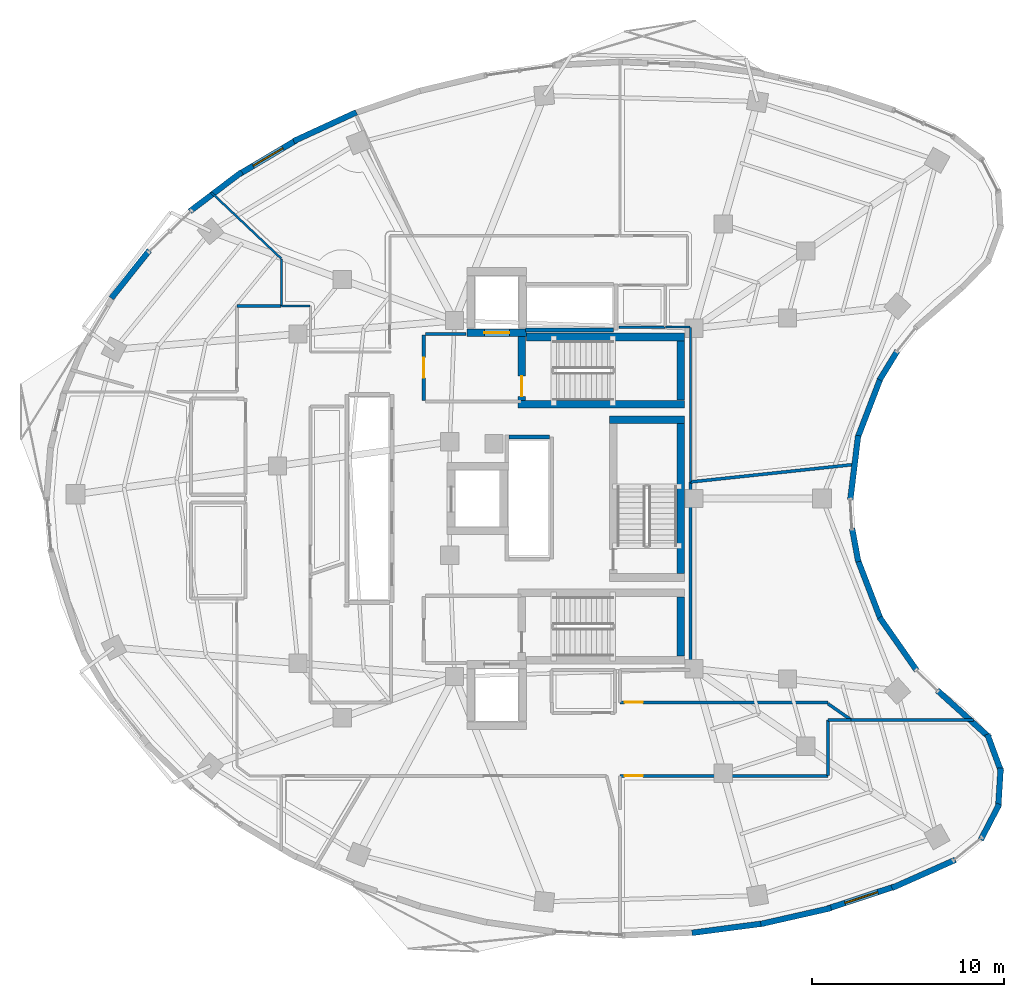
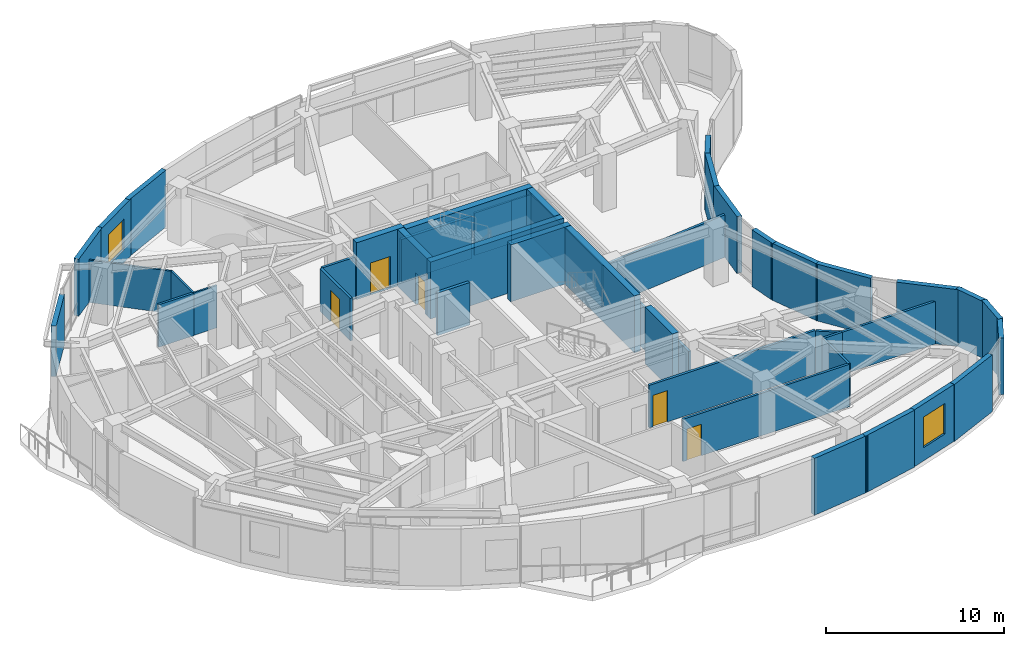
# One storey, part 10 of 14: 45 walls, 5 doors, 2 windows, 7 openings.
"""IFC4 building model written with IfcOpenShell, lengths in metres."""

from ifc_helpers import new_model, si_unit, direction, frame, frame_2d, origin, place, context, subcontext, project, spatial, rectangle, extrude, material, layer, layer_set, type_object, element, fill, save


model = new_model("IFC4")

# Units and contexts
model_context = context("Model", 3, precision=1e-05, world=origin(), true_north=direction((0.0, 1.0)))
body_context = subcontext(model_context, "Body", "Model", "MODEL_VIEW")
ifc_project = project(units=[si_unit("LENGTHUNIT", "METRE"), si_unit("AREAUNIT", "SQUARE_METRE"), si_unit("VOLUMEUNIT", "CUBIC_METRE"), si_unit("PLANEANGLEUNIT", "RADIAN"), si_unit("MASSUNIT", "GRAM", prefix="KILO")], contexts=[model_context])

# Site, building, storey
site_placement = place(None, origin())
site = spatial("IfcSite", under=ifc_project, at=site_placement, CompositionType="ELEMENT")
building_placement = place(site_placement, origin())
building = spatial("IfcBuilding", under=site, at=building_placement, Name="Korentha Bioscience Tower", CompositionType="ELEMENT")
storey_placement = place(building_placement, frame((0.0, 0.0, 231.0)))
storey = spatial("IfcBuildingStorey", under=building, at=storey_placement, Name="L53", CompositionType="ELEMENT", Elevation=231.0)

# Wall, opening, door
ifc_material_1 = material(Name="Double-Stud Acoustic Gypsum", Category="gypsum")
ifc_layer_1 = layer(ifc_material_1, 0.14990234375, Name="Double-Stud Acoustic Gypsum")
ifc_layer_set_1 = layer_set([ifc_layer_1], Name="Double-Stud Acoustic Gypsum (IW-L150)")
wall_type_1 = type_object("IfcWallType", Name="Acoustic Laboratory Partition Wall 150", PredefinedType="PARTITIONING", material=ifc_layer_set_1)
wall_1_placement = place(storey_placement, frame((33.701904296875, 12.590087890625, 0.0), z_axis=(0.0, 0.0, 1.0), x_axis=(1.0, 0.0, 0.0)))
wall_1 = element("IfcWall", 1, at=wall_1_placement, inside=storey, type_object=wall_type_1, Name="L53 Peptide Synthesis Wet Lab 05 Entrance Wall", PredefinedType="PARTITIONING", context=body_context, shape_type="SweptSolid", body=[
    extrude(rectangle(XDim=10.798095703125, YDim=0.14990234375, at=frame_2d((5.39892578125, 0.0))), origin(), (0.0, 0.0, 1.0), 2.909912109375),
])
opening_1_placement = place(wall_1_placement, frame((0.239990234375, 0.0, 0.0)))
opening_1 = element("IfcOpeningElement", 2, at=opening_1_placement, cuts=wall_1, Name="Opening ID-10R", PredefinedType="OPENING", context=body_context, shape_type="SweptSolid", body=[
    extrude(rectangle(XDim=0.949951171875, YDim=2.14990234375, at=frame_2d((0.47509765625, 1.074951171875))), frame((0.0, 0.08984375, 0.0), z_axis=(0.0, -1.0, 0.0), x_axis=(1.0, 0.0, 0.0)), (0.0, 0.0, 1.0), 0.1796875),
])
ifc_material_2 = material(Name="Phenolic Laminate Timber Core", Category="wood")
door_type_1 = type_object("IfcDoorType", Name="Laboratory Single Leaf Door 950x2150 Right", OperationType="SINGLE_SWING_RIGHT", PredefinedType="DOOR", material=ifc_material_2)
door_1_placement = place(opening_1_placement, origin())
door_1 = element("IfcDoor", 3, at=door_1_placement, inside=storey, type_object=door_type_1, Name="L53 Peptide Synthesis Wet Lab 05 Door", OperationType="SINGLE_SWING_RIGHT", OverallHeight=2.14990234375, OverallWidth=0.949951171875, PredefinedType="DOOR", context=body_context, shape_type="SweptSolid", body=[
    extrude(rectangle(XDim=0.949951171875, YDim=2.14990234375, at=frame_2d((0.47509765625, 1.074951171875))), frame((0.0, 0.02490234375, 0.0), z_axis=(0.0, -1.0, 0.0), x_axis=(1.0, 0.0, 0.0)), (0.0, 0.0, 1.0), 0.050048828125),
])
fill(opening_1, door_1)

# Walls
wall_2_placement = place(storey_placement, frame((44.510009765625, 12.60009765625, 0.0), z_axis=(0.0, 0.0, 1.0), x_axis=(0.0, 1.0, 0.0)))
element("IfcWall", 4, at=wall_2_placement, inside=storey, type_object=wall_type_1, Name="L53 Interior Partition 044", PredefinedType="PARTITIONING", context=body_context, shape_type="SweptSolid", body=[
    extrude(rectangle(XDim=2.89794921875, YDim=0.14990234375, at=frame_2d((1.448974609375, 0.0))), origin(), (0.0, 0.0, 1.0), 2.909912109375),
])
wall_3_placement = place(storey_placement, frame((44.510009765625, 15.498046875, 0.0), z_axis=(0.0, 0.0, 1.0), x_axis=(1.0, 0.0, 0.0)))
element("IfcWall", 5, at=wall_3_placement, inside=storey, type_object=wall_type_1, Name="L53 Interior Partition 045", PredefinedType="PARTITIONING", context=body_context, shape_type="SweptSolid", body=[
    extrude(rectangle(XDim=1.19287109375, YDim=0.14990234375, at=frame_2d((0.596435546875, 0.0))), origin(), (0.0, 0.0, 1.0), 2.909912109375),
])
wall_4_placement = place(storey_placement, frame((45.710205078125, 15.498046875, 0.0), z_axis=(0.0, 0.0, 1.0), x_axis=(1.0, 0.0, 0.0)))
element("IfcWall", 6, at=wall_4_placement, inside=storey, type_object=wall_type_1, Name="L53 Interior Partition 046", PredefinedType="PARTITIONING", context=body_context, shape_type="SweptSolid", body=[
    extrude(rectangle(XDim=6.359619140625, YDim=0.14990234375, at=frame_2d((3.1796875, 0.0))), origin(), (0.0, 0.0, 1.0), 2.909912109375),
])
wall_5_placement = place(storey_placement, frame((16.092041015625, 37.010009765625, 0.0), z_axis=(0.0, 0.0, 1.0), x_axis=(-1.0, 0.0, 0.0)))
element("IfcWall", 7, at=wall_5_placement, inside=storey, type_object=wall_type_1, Name="L53 Interior Partition 066", PredefinedType="PARTITIONING", context=body_context, shape_type="SweptSolid", body=[
    extrude(rectangle(XDim=2.2919921875, YDim=0.14990234375, at=frame_2d((1.14599609375, 0.0))), origin(), (0.0, 0.0, 1.0), 2.909912109375),
])
ifc_material_3 = material(Name="Fire-Rated Framed Glass", Category="glass")
ifc_layer_2 = layer(ifc_material_3, 0.110107421875, Name="Fire-Rated Framed Glass")
ifc_layer_set_2 = layer_set([ifc_layer_2], Name="Fire-Rated Framed Glass (IW-G110)")
wall_type_2 = type_object("IfcWallType", Name="Demountable Glazed Office Partition 110", PredefinedType="MOVABLE", material=ifc_layer_set_2)
wall_6_placement = place(storey_placement, frame((37.360107421875, 27.87158203125, 0.0), z_axis=(0.0, 0.0, 1.0), x_axis=(0.0, 1.0, 0.0)))
element("IfcWall", 8, at=wall_6_placement, inside=storey, type_object=wall_type_2, Name="L53 Interior Partition 054", PredefinedType="MOVABLE", context=body_context, shape_type="SweptSolid", body=[
    extrude(rectangle(XDim=8.0283203125, YDim=0.110107421875, at=frame_2d((4.01416015625, 0.0))), origin(), (0.0, 0.0, 1.0), 2.909912109375),
])
wall_7_placement = place(storey_placement, frame((37.35009765625, 35.909912109375, 0.0), z_axis=(0.0, 0.0, 1.0), x_axis=(-1.0, 0.0, 0.0)))
element("IfcWall", 9, at=wall_7_placement, inside=storey, type_object=wall_type_2, Name="L53 Interior Partition 055", PredefinedType="MOVABLE", context=body_context, shape_type="SweptSolid", body=[
    extrude(rectangle(XDim=1.2900390625, YDim=0.110107421875, at=frame_2d((0.64501953125, 0.0))), origin(), (0.0, 0.0, 1.0), 2.909912109375),
])
wall_8_placement = place(storey_placement, frame((17.60009765625, 37.010009765625, 0.0), z_axis=(0.0, 0.0, 1.0), x_axis=(-1.0, 0.0, 0.0)))
element("IfcWall", 10, at=wall_8_placement, inside=storey, type_object=wall_type_2, Name="L53 Interior Partition 063", PredefinedType="MOVABLE", context=body_context, shape_type="SweptSolid", body=[
    extrude(rectangle(XDim=1.498046875, YDim=0.110107421875, at=frame_2d((0.7490234375, 0.0))), origin(), (0.0, 0.0, 1.0), 2.909912109375),
])
wall_9_placement = place(storey_placement, frame((16.10205078125, 37.010009765625, 0.0), z_axis=(0.0, 0.0, 1.0), x_axis=(0.0, 1.0, 0.0)))
element("IfcWall", 11, at=wall_9_placement, inside=storey, type_object=wall_type_2, Name="L53 Interior Partition 064", PredefinedType="MOVABLE", context=body_context, shape_type="SweptSolid", body=[
    extrude(rectangle(XDim=2.448974609375, YDim=0.110107421875, at=frame_2d((1.224609375, 0.0))), origin(), (0.0, 0.0, 1.0), 2.909912109375),
])
wall_10_placement = place(storey_placement, frame((16.097900390625, 39.468505859375, 0.0), z_axis=(0.0, 0.0, 1.0), x_axis=(-0.72659054889, 0.687070719987, 0.0)))
element("IfcWall", 12, at=wall_10_placement, inside=storey, type_object=wall_type_2, Name="L53 Interior Partition 065", PredefinedType="MOVABLE", context=body_context, shape_type="SweptSolid", body=[
    extrude(rectangle(XDim=5.016357421875, YDim=0.110107421875, at=frame_2d((2.50830078125, 0.0))), origin(), (0.0, 0.0, 1.0), 2.909912109375),
])

# Wall, opening, door
ifc_material_4 = material(Name="Gypsum-Clad Steel Stud", Category="steel")
ifc_layer_3 = layer(ifc_material_4, 0.159912109375, Name="Gypsum-Clad Steel Stud")
ifc_layer_set_3 = layer_set([ifc_layer_3], Name="Gypsum-Clad Steel Stud (IW-C160)")
wall_type_3 = type_object("IfcWallType", Name="Fire-Rated Corridor Partition Wall 160", PredefinedType="PARTITIONING", material=ifc_layer_set_3)
wall_11_placement = place(storey_placement, frame((23.5, 32.10009765625, 0.0), z_axis=(0.0, 0.0, 1.0), x_axis=(0.0, 1.0, 0.0)))
wall_11 = element("IfcWall", 13, at=wall_11_placement, inside=storey, type_object=wall_type_3, Name="L53 FFLN-CW Rated Enclosure Wall", PredefinedType="PARTITIONING", context=body_context, shape_type="SweptSolid", body=[
    extrude(rectangle(XDim=3.39990234375, YDim=0.159912109375, at=frame_2d((1.699951171875, 0.0))), origin(), (0.0, 0.0, 1.0), 2.909912109375),
])
opening_2_placement = place(wall_11_placement, frame((1.175048828125, 0.0, 0.0)))
opening_2 = element("IfcOpeningElement", 14, at=opening_2_placement, cuts=wall_11, Name="Opening FD-90R", PredefinedType="OPENING", context=body_context, shape_type="SweptSolid", body=[
    extrude(rectangle(XDim=1.050048828125, YDim=2.14990234375, at=frame_2d((0.52490234375, 1.074951171875))), frame((0.0, 0.0947265625, 0.0), z_axis=(0.0, -1.0, 0.0), x_axis=(1.0, 0.0, 0.0)), (0.0, 0.0, 1.0), 0.189697265625),
])
ifc_material_5 = material(Name="Powder-Coated Fire-Rated Steel", Category="steel")
door_type_2 = type_object("IfcDoorType", Name="Stairwell Fire Exit Door 1050x2150 Right", OperationType="SINGLE_SWING_RIGHT", PredefinedType="DOOR", material=ifc_material_5)
door_2_placement = place(opening_2_placement, origin())
door_2 = element("IfcDoor", 15, at=door_2_placement, inside=storey, type_object=door_type_2, Name="L53 North Firefighting Lobby Door", OperationType="SINGLE_SWING_RIGHT", OverallHeight=2.14990234375, OverallWidth=1.050048828125, PredefinedType="DOOR", context=body_context, shape_type="SweptSolid", body=[
    extrude(rectangle(XDim=1.050048828125, YDim=2.14990234375, at=frame_2d((0.52490234375, 1.074951171875))), frame((0.0, 0.02490234375, 0.0), z_axis=(0.0, -1.0, 0.0), x_axis=(1.0, 0.0, 0.0)), (0.0, 0.0, 1.0), 0.050048828125),
])
fill(opening_2, door_2)

# Wall
wall_12_placement = place(storey_placement, frame((23.580078125, 35.550048828125, 0.0), z_axis=(0.0, 0.0, 1.0), x_axis=(1.0, 0.0, 0.0)))
element("IfcWall", 16, at=wall_12_placement, inside=storey, type_object=wall_type_3, Name="L53 Firefighting Lobby Return Wall FFLN-N", PredefinedType="PARTITIONING", context=body_context, shape_type="SweptSolid", body=[
    extrude(rectangle(XDim=2.119873046875, YDim=0.159912109375, at=frame_2d((1.06005859375, 0.0))), origin(), (0.0, 0.0, 1.0), 2.909912109375),
])

# Wall, opening, door
wall_13_placement = place(storey_placement, frame((44.5, 16.409912109375, 0.0), z_axis=(0.0, 0.0, 1.0), x_axis=(-1.0, 0.0, 0.0)))
wall_13 = element("IfcWall", 17, at=wall_13_placement, inside=storey, type_object=wall_type_3, Name="L53 Ultrapure Water Polisher Plant Alcove 06 Entrance Wall", PredefinedType="PARTITIONING", context=body_context, shape_type="SweptSolid", body=[
    extrude(rectangle(XDim=10.798095703125, YDim=0.159912109375, at=frame_2d((5.39892578125, 0.0))), origin(), (0.0, 0.0, 1.0), 2.909912109375),
])
opening_3_placement = place(wall_13_placement, frame((9.60791015625, 0.0, 0.0)))
opening_3 = element("IfcOpeningElement", 18, at=opening_3_placement, cuts=wall_13, Name="Opening FD-120D", PredefinedType="OPENING", context=body_context, shape_type="SweptSolid", body=[
    extrude(rectangle(XDim=0.949951171875, YDim=2.14990234375, at=frame_2d((0.47509765625, 1.074951171875))), frame((0.0, 0.0947265625, 0.0), z_axis=(0.0, -1.0, 0.0), x_axis=(1.0, 0.0, 0.0)), (0.0, 0.0, 1.0), 0.189697265625),
])
ifc_material_6 = material(Name="Heavy-Duty Insulated Steel", Category="steel")
door_type_3 = type_object("IfcDoorType", Name="Plant & Riser Fire Door 950x2150 Left", OperationType="SINGLE_SWING_LEFT", PredefinedType="DOOR", material=ifc_material_6)
door_3_placement = place(opening_3_placement, origin())
door_3 = element("IfcDoor", 19, at=door_3_placement, inside=storey, type_object=door_type_3, Name="L53 Ultrapure Water Polisher Plant Alcove 06 Door", OperationType="SINGLE_SWING_LEFT", OverallHeight=2.14990234375, OverallWidth=0.949951171875, PredefinedType="DOOR", context=body_context, shape_type="SweptSolid", body=[
    extrude(rectangle(XDim=0.949951171875, YDim=2.14990234375, at=frame_2d((0.47509765625, 1.074951171875))), frame((0.0, 0.02490234375, 0.0), z_axis=(0.0, -1.0, 0.0), x_axis=(1.0, 0.0, 0.0)), (0.0, 0.0, 1.0), 0.050048828125),
])
fill(opening_3, door_3)

# Walls
wall_14_placement = place(storey_placement, frame((37.360107421875, 18.10009765625, 0.0), z_axis=(0.0, 0.0, 1.0), x_axis=(0.0, 1.0, 0.0)))
element("IfcWall", 20, at=wall_14_placement, inside=storey, type_object=wall_type_3, Name="L53 Interior Partition 049", PredefinedType="PARTITIONING", context=body_context, shape_type="SweptSolid", body=[
    extrude(rectangle(XDim=9.761474609375, YDim=0.159912109375, at=frame_2d((4.880859375, 0.0))), origin(), (0.0, 0.0, 1.0), 2.909912109375),
])
wall_15_placement = place(storey_placement, frame((37.360107421875, 27.861572265625, 0.0), z_axis=(0.0, 0.0, 1.0), x_axis=(0.994340555522, 0.106239633118, 0.0)))
element("IfcWall", 21, at=wall_15_placement, inside=storey, type_object=wall_type_3, Name="L53 Interior Partition 050", PredefinedType="PARTITIONING", context=body_context, shape_type="SweptSolid", body=[
    extrude(rectangle(XDim=8.60595703125, YDim=0.159912109375, at=frame_2d((4.302978515625, 0.0))), origin(), (0.0, 0.0, 1.0), 2.909912109375),
])
wall_16_placement = place(storey_placement, frame((45.69580078125, 15.508056640625, 0.0), z_axis=(0.0, 0.0, 1.0), x_axis=(-0.819144755114, 0.573586846231, 0.0)))
element("IfcWall", 22, at=wall_16_placement, inside=storey, type_object=wall_type_3, Name="L53 Interior Partition 051", PredefinedType="PARTITIONING", context=body_context, shape_type="SweptSolid", body=[
    extrude(rectangle(XDim=1.447509765625, YDim=0.159912109375, at=frame_2d((0.7236328125, 0.0))), origin(), (0.0, 0.0, 1.0), 2.909912109375),
])

# Wall, opening, window
ifc_material_7 = material(Name="Honed Limestone Precast Concrete C40", Category="masonry")
ifc_layer_4 = layer(ifc_material_7, 0.300048828125, Name="Honed Limestone Precast Concrete C40")
ifc_layer_set_4 = layer_set([ifc_layer_4], Name="Honed Limestone Precast Concrete C40 (EW-ST300)")
wall_type_4 = type_object("IfcWallType", Name="Honed Limestone Cavity Spandrel Wall 300", PredefinedType="STANDARD", material=ifc_layer_set_4)
wall_17_placement = place(storey_placement, frame((16.888671875, 45.6318359375, 0.0), z_axis=(0.0, 0.0, 1.0), x_axis=(-0.859459434124, -0.511203952543, 0.0)))
wall_17 = element("IfcWall", 23, at=wall_17_placement, inside=storey, type_object=wall_type_4, Name="L53 Honed Limestone Spandrel Wall 11", PredefinedType="STANDARD", context=body_context, shape_type="SweptSolid", body=[
    extrude(rectangle(XDim=3.450439453125, YDim=0.300048828125, at=frame_2d((1.72509765625, 0.0))), origin(), (0.0, 0.0, 1.0), 3.89990234375),
])
opening_4_placement = place(wall_17_placement, frame((0.8251953125, 0.0, 0.89990234375)))
opening_4 = element("IfcOpeningElement", 24, at=opening_4_placement, cuts=wall_17, Name="Opening WN-01", PredefinedType="OPENING", context=body_context, shape_type="SweptSolid", body=[
    extrude(rectangle(XDim=1.800048828125, YDim=2.10009765625, at=frame_2d((0.89990234375, 1.050048828125))), frame((0.0, 0.1650390625, 0.0), z_axis=(0.0, -1.0, 0.0), x_axis=(1.0, 0.0, 0.0)), (0.0, 0.0, 1.0), 0.329833984375),
])
ifc_material_8 = material(Name="Thermally Broken Aluminium Triple Glazing", Category="aluminium")
window_type = type_object("IfcWindowType", Name="Triple-Glazed Fixed Bioscience Window 1800x2100", PartitioningType="SINGLE_PANEL", PredefinedType="WINDOW", material=ifc_material_8)
window_1_placement = place(opening_4_placement, origin())
window_1 = element("IfcWindow", 25, at=window_1_placement, inside=storey, type_object=window_type, Name="L53 Facade Window 11", OverallHeight=2.10009765625, OverallWidth=1.800048828125, PartitioningType="SINGLE_PANEL", PredefinedType="WINDOW", context=body_context, shape_type="SweptSolid", body=[
    extrude(rectangle(XDim=1.800048828125, YDim=2.10009765625, at=frame_2d((0.89990234375, 1.050048828125))), frame((0.0, 0.030029296875, 0.0), z_axis=(0.0, -1.0, 0.0), x_axis=(1.0, 0.0, 0.0)), (0.0, 0.0, 1.0), 0.06005859375),
])
fill(opening_4, window_1)

wall_18_placement = place(storey_placement, frame((44.516357421875, 5.696533203125, 0.0), z_axis=(0.0, 0.0, 1.0), x_axis=(0.949704682455, 0.313146956114, 0.0)))
wall_18 = element("IfcWall", 26, at=wall_18_placement, inside=storey, type_object=wall_type_4, Name="L53 Honed Limestone Spandrel Wall 35", PredefinedType="STANDARD", context=body_context, shape_type="SweptSolid", body=[
    extrude(rectangle(XDim=3.639404296875, YDim=0.300048828125, at=frame_2d((1.81982421875, 0.0))), origin(), (0.0, 0.0, 1.0), 3.89990234375),
])
opening_5_placement = place(wall_18_placement, frame((0.919677734375, 0.0, 0.89990234375)))
opening_5 = element("IfcOpeningElement", 27, at=opening_5_placement, cuts=wall_18, Name="Opening WN-01", PredefinedType="OPENING", context=body_context, shape_type="SweptSolid", body=[
    extrude(rectangle(XDim=1.800048828125, YDim=2.10009765625, at=frame_2d((0.89990234375, 1.050048828125))), frame((0.0, 0.1650390625, 0.0), z_axis=(0.0, -1.0, 0.0), x_axis=(1.0, 0.0, 0.0)), (0.0, 0.0, 1.0), 0.329833984375),
])
window_2_placement = place(opening_5_placement, origin())
window_2 = element("IfcWindow", 28, at=window_2_placement, inside=storey, type_object=window_type, Name="L53 Facade Window 35", OverallHeight=2.10009765625, OverallWidth=1.800048828125, PartitioningType="SINGLE_PANEL", PredefinedType="WINDOW", context=body_context, shape_type="SweptSolid", body=[
    extrude(rectangle(XDim=1.800048828125, YDim=2.10009765625, at=frame_2d((0.89990234375, 1.050048828125))), frame((0.0, 0.030029296875, 0.0), z_axis=(0.0, -1.0, 0.0), x_axis=(1.0, 0.0, 0.0)), (0.0, 0.0, 1.0), 0.06005859375),
])
fill(opening_5, window_2)

# Walls
wall_19_placement = place(storey_placement, frame((19.999755859375, 47.076904296875, 0.0), z_axis=(0.0, 0.0, 1.0), x_axis=(-0.908506474671, -0.417870776055, 0.0)))
element("IfcWall", 29, at=wall_19_placement, inside=storey, type_object=wall_type_4, Name="L53 Limestone Perimeter Closure Wall 10", PredefinedType="STANDARD", context=body_context, shape_type="SweptSolid", body=[
    extrude(rectangle(XDim=3.586669921875, YDim=0.300048828125, at=frame_2d((1.79345703125, 0.0))), origin(), (0.0, 0.0, 1.0), 3.89990234375),
])
wall_20_placement = place(storey_placement, frame((14.041259765625, 43.972900390625, 0.0), z_axis=(0.0, 0.0, 1.0), x_axis=(-0.796917512891, -0.604088137317, 0.0)))
element("IfcWall", 30, at=wall_20_placement, inside=storey, type_object=wall_type_4, Name="L53 Limestone Perimeter Closure Wall 12", PredefinedType="STANDARD", context=body_context, shape_type="SweptSolid", body=[
    extrude(rectangle(XDim=3.385498046875, YDim=0.300048828125, at=frame_2d((1.69287109375, 0.0))), origin(), (0.0, 0.0, 1.0), 3.89990234375),
])
wall_21_placement = place(storey_placement, frame((9.24072265625, 39.896240234375, 0.0), z_axis=(0.0, 0.0, 1.0), x_axis=(-0.624084641886, -0.781356742956, 0.0)))
element("IfcWall", 31, at=wall_21_placement, inside=storey, type_object=wall_type_4, Name="L53 Limestone Perimeter Closure Wall 14", PredefinedType="STANDARD", context=body_context, shape_type="SweptSolid", body=[
    extrude(rectangle(XDim=3.17138671875, YDim=0.300048828125, at=frame_2d((1.585693359375, 0.0))), origin(), (0.0, 0.0, 1.0), 3.469970703125),
])
wall_22_placement = place(storey_placement, frame((37.43701171875, 4.427978515625, 0.0), z_axis=(0.0, 0.0, 1.0), x_axis=(0.991512801574, 0.130009093201, 0.0)))
element("IfcWall", 32, at=wall_22_placement, inside=storey, type_object=wall_type_4, Name="L53 Limestone Perimeter Closure Wall 33", PredefinedType="STANDARD", context=body_context, shape_type="SweptSolid", body=[
    extrude(rectangle(XDim=3.785888671875, YDim=0.300048828125, at=frame_2d((1.89306640625, 0.0))), origin(), (0.0, 0.0, 1.0), 3.89990234375),
])
wall_23_placement = place(storey_placement, frame((41.0205078125, 4.889892578125, 0.0), z_axis=(0.0, 0.0, 1.0), x_axis=(0.975241674184, 0.221141757557, 0.0)))
element("IfcWall", 33, at=wall_23_placement, inside=storey, type_object=wall_type_4, Name="L53 Limestone Perimeter Closure Wall 34", PredefinedType="STANDARD", context=body_context, shape_type="SweptSolid", body=[
    extrude(rectangle(XDim=3.74267578125, YDim=0.300048828125, at=frame_2d((1.871337890625, 0.0))), origin(), (0.0, 0.0, 1.0), 3.89990234375),
])
wall_24_placement = place(storey_placement, frame((47.835693359375, 6.7607421875, 0.0), z_axis=(0.0, 0.0, 1.0), x_axis=(0.913940198441, 0.405848880341, 0.0)))
element("IfcWall", 34, at=wall_24_placement, inside=storey, type_object=wall_type_4, Name="L53 Limestone Perimeter Closure Wall 36", PredefinedType="STANDARD", context=body_context, shape_type="SweptSolid", body=[
    extrude(rectangle(XDim=3.598388671875, YDim=0.300048828125, at=frame_2d((1.79931640625, 0.0))), origin(), (0.0, 0.0, 1.0), 3.89990234375),
])
wall_25_placement = place(storey_placement, frame((52.451904296875, 9.2646484375, 0.0), z_axis=(0.0, 0.0, 1.0), x_axis=(0.459683297138, 0.888082916361, 0.0)))
element("IfcWall", 35, at=wall_25_placement, inside=storey, type_object=wall_type_4, Name="L53 Limestone Perimeter Closure Wall 38", PredefinedType="STANDARD", context=body_context, shape_type="SweptSolid", body=[
    extrude(rectangle(XDim=2.091552734375, YDim=0.300048828125, at=frame_2d((1.0458984375, 0.0))), origin(), (0.0, 0.0, 1.0), 3.89990234375),
])
for number, where, z_axis, x_axis, name in (
    (36, (53.356201171875, 10.915283203125, 0.0), (0.0, 0.0, 1.0), (0.06186954965, 0.998084244353, 0.0), "L53 Limestone Perimeter Closure Wall 39"),
    (37, (53.516845703125, 12.790771484375, 0.0), (0.0, 0.0, 1.0), (-0.346359858312, 0.93810172612, 0.0), "L53 Limestone Perimeter Closure Wall 40"),
):
    element("IfcWall", number, at=place(storey_placement, frame(where, z_axis=z_axis, x_axis=x_axis)), inside=storey, type_object=wall_type_4, Name=name, PredefinedType="STANDARD", context=body_context, shape_type="SweptSolid", body=[
        extrude(rectangle(XDim=2.09130859375, YDim=0.300048828125, at=frame_2d((1.045654296875, 0.0))), origin(), (0.0, 0.0, 1.0), 3.89990234375),
    ])
wall_26_placement = place(storey_placement, frame((52.9169921875, 14.568603515625, 0.0), z_axis=(0.0, 0.0, 1.0), x_axis=(-0.742037796493, 0.670358045059, 0.0)))
element("IfcWall", 38, at=wall_26_placement, inside=storey, type_object=wall_type_4, Name="L53 Limestone Perimeter Closure Wall 41", PredefinedType="STANDARD", context=body_context, shape_type="SweptSolid", body=[
    extrude(rectangle(XDim=3.685302734375, YDim=0.300048828125, at=frame_2d((1.8427734375, 0.0))), origin(), (0.0, 0.0, 1.0), 3.89990234375),
])
wall_27_placement = place(storey_placement, frame((49.123046875, 18.0673828125, 0.0), z_axis=(0.0, 0.0, 1.0), x_axis=(-0.573598849051, 0.819136350291, 0.0)))
element("IfcWall", 39, at=wall_27_placement, inside=storey, type_object=wall_type_4, Name="L53 Limestone Perimeter Closure Wall 44", PredefinedType="STANDARD", context=body_context, shape_type="SweptSolid", body=[
    extrude(rectangle(XDim=3.36083984375, YDim=0.300048828125, at=frame_2d((1.680419921875, 0.0))), origin(), (0.0, 0.0, 1.0), 3.89990234375),
])
wall_28_placement = place(storey_placement, frame((47.25390625, 20.710205078125, 0.0), z_axis=(0.0, 0.0, 1.0), x_axis=(-0.358365624917, 0.933581318835, 0.0)))
element("IfcWall", 40, at=wall_28_placement, inside=storey, type_object=wall_type_4, Name="L53 Limestone Perimeter Closure Wall 46", PredefinedType="STANDARD", context=body_context, shape_type="SweptSolid", body=[
    extrude(rectangle(XDim=3.360595703125, YDim=0.300048828125, at=frame_2d((1.68017578125, 0.0))), origin(), (0.0, 0.0, 1.0), 3.89990234375),
])
wall_29_placement = place(storey_placement, frame((46.0859375, 23.718994140625, 0.0), z_axis=(0.0, 0.0, 1.0), x_axis=(-0.182198328631, 0.983261800867, 0.0)))
element("IfcWall", 41, at=wall_29_placement, inside=storey, type_object=wall_type_4, Name="L53 Limestone Perimeter Closure Wall 48", PredefinedType="STANDARD", context=body_context, shape_type="SweptSolid", body=[
    extrude(rectangle(XDim=1.763427734375, YDim=0.300048828125, at=frame_2d((0.8818359375, 0.0))), origin(), (0.0, 0.0, 1.0), 3.89990234375),
])
for number, where, z_axis, x_axis, name in (
    (42, (45.67041015625, 26.937744140625, 0.0), (0.0, 0.0, 1.0), (0.121834797873, 0.992550392689, 0.0), "L53 Limestone Perimeter Closure Wall 50"),
    (43, (46.049560546875, 30.15234375, 0.0), (0.0, 0.0, 1.0), (0.358365624917, 0.933581318835, 0.0), "L53 Limestone Perimeter Closure Wall 52"),
):
    element("IfcWall", number, at=place(storey_placement, frame(where, z_axis=z_axis, x_axis=x_axis)), inside=storey, type_object=wall_type_4, Name=name, PredefinedType="STANDARD", context=body_context, shape_type="SweptSolid", body=[
        extrude(rectangle(XDim=3.360595703125, YDim=0.300048828125, at=frame_2d((1.68017578125, 0.0))), origin(), (0.0, 0.0, 1.0), 3.89990234375),
    ])
wall_30_placement = place(storey_placement, frame((47.19482421875, 33.169921875, 0.0), z_axis=(0.0, 0.0, 1.0), x_axis=(0.522536083939, 0.852617171409, 0.0)))
element("IfcWall", 44, at=wall_30_placement, inside=storey, type_object=wall_type_4, Name="L53 Limestone Perimeter Closure Wall 54", PredefinedType="STANDARD", context=body_context, shape_type="SweptSolid", body=[
    extrude(rectangle(XDim=1.76318359375, YDim=0.300048828125, at=frame_2d((0.881591796875, 0.0))), origin(), (0.0, 0.0, 1.0), 3.89990234375),
])
ifc_material_9 = material(Name="Autoclaved Aerated Concrete Block C25", Category="concrete")
ifc_layer_5 = layer(ifc_material_9, 0.199951171875, Name="Autoclaved Aerated Concrete Block C25")
ifc_layer_set_5 = layer_set([ifc_layer_5], Name="Autoclaved Aerated Concrete Block C25 (IW-S200)")
wall_type_5 = type_object("IfcWallType", Name="Lift and Riser Shaft Enclosure Wall 200", PredefinedType="PARTITIONING", material=ifc_layer_set_5)
wall_31_placement = place(storey_placement, frame((27.93408203125, 30.199951171875, 0.0), z_axis=(0.0, 0.0, 1.0), x_axis=(1.0, 0.0, 0.0)))
element("IfcWall", 45, at=wall_31_placement, inside=storey, type_object=wall_type_5, Name="L53 Lift Bank HIGH Shaft Wall +Y", PredefinedType="PARTITIONING", context=body_context, shape_type="SweptSolid", body=[
    extrude(rectangle(XDim=2.095947265625, YDim=0.199951171875, at=frame_2d((1.0478515625, 0.0))), origin(), (0.0, 0.0, 1.0), 2.909912109375),
])
wall_32_placement = place(storey_placement, frame((28.800048828125, 35.760009765625, 0.0), z_axis=(0.0, 0.0, 1.0), x_axis=(1.0, 0.0, 0.0)))
element("IfcWall", 46, at=wall_32_placement, inside=storey, type_object=wall_type_5, Name="L53 Lift Bank OBS Shaft Wall -Y", PredefinedType="PARTITIONING", context=body_context, shape_type="SweptSolid", body=[
    extrude(rectangle(XDim=4.570068359375, YDim=0.199951171875, at=frame_2d((2.28515625, 0.0))), origin(), (0.0, 0.0, 1.0), 2.909912109375),
])
ifc_material_10 = material(Name="Concrete C65", Category="concrete")
ifc_layer_6 = layer(ifc_material_10, 0.39990234375, Name="Concrete C65")
ifc_layer_set_6 = layer_set([ifc_layer_6], Name="Concrete C65 (CW-C65)")
wall_type_6 = type_object("IfcWallType", Name="Mid-Rise Core Shear Wall 400", PredefinedType="SHEAR", material=ifc_layer_set_6)
wall_33_placement = place(storey_placement, frame((28.85205078125, 35.39990234375, 0.0), z_axis=(0.0, 0.0, 1.0), x_axis=(1.0, 0.0, 0.0)))
element("IfcWall", 47, at=wall_33_placement, inside=storey, type_object=wall_type_6, Name="L53 Core Shear Wall ST1-N", PredefinedType="SHEAR", context=body_context, shape_type="SweptSolid", body=[
    extrude(rectangle(XDim=8.197998046875, YDim=0.39990234375, at=frame_2d((4.09912109375, 0.0))), origin(), (0.0, 0.0, 1.0), 3.89990234375),
])
wall_34_placement = place(storey_placement, frame((28.39990234375, 31.89990234375, 0.0), z_axis=(0.0, 0.0, 1.0), x_axis=(1.0, 0.0, 0.0)))
element("IfcWall", 48, at=wall_34_placement, inside=storey, type_object=wall_type_6, Name="L53 Core Shear Wall ST1-S", PredefinedType="SHEAR", context=body_context, shape_type="SweptSolid", body=[
    extrude(rectangle(XDim=8.650146484375, YDim=0.39990234375, at=frame_2d((4.3251953125, 0.0))), origin(), (0.0, 0.0, 1.0), 3.89990234375),
])
wall_35_placement = place(storey_placement, frame((36.85009765625, 32.110107421875, 0.0), z_axis=(0.0, 0.0, 1.0), x_axis=(0.0, 1.0, 0.0)))
element("IfcWall", 49, at=wall_35_placement, inside=storey, type_object=wall_type_6, Name="L53 Core Shear Wall ST1-E", PredefinedType="SHEAR", context=body_context, shape_type="SweptSolid", body=[
    extrude(rectangle(XDim=3.079833984375, YDim=0.39990234375, at=frame_2d((1.5400390625, 0.0))), origin(), (0.0, 0.0, 1.0), 3.89990234375),
])

# Wall, opening, door
wall_36_placement = place(storey_placement, frame((28.60009765625, 32.110107421875, 0.0), z_axis=(0.0, 0.0, 1.0), x_axis=(0.0, 1.0, 0.0)))
wall_36 = element("IfcWall", 50, at=wall_36_placement, inside=storey, type_object=wall_type_6, Name="L53 Core Shear Wall ST1-W", PredefinedType="SHEAR", context=body_context, shape_type="SweptSolid", body=[
    extrude(rectangle(XDim=3.307861328125, YDim=0.39990234375, at=frame_2d((1.65380859375, 0.0))), origin(), (0.0, 0.0, 1.0), 3.89990234375),
])
opening_6_placement = place(wall_36_placement, frame((0.199951171875, 0.0, 0.0)))
opening_6 = element("IfcOpeningElement", 51, at=opening_6_placement, cuts=wall_36, Name="Opening FD-90R", PredefinedType="OPENING", context=body_context, shape_type="SweptSolid", body=[
    extrude(rectangle(XDim=1.050048828125, YDim=2.14990234375, at=frame_2d((0.52490234375, 1.074951171875))), frame((0.0, 0.21484375, 0.0), z_axis=(0.0, -1.0, 0.0), x_axis=(1.0, 0.0, 0.0)), (0.0, 0.0, 1.0), 0.4296875),
])
door_4_placement = place(opening_6_placement, origin())
door_4 = element("IfcDoor", 52, at=door_4_placement, inside=storey, type_object=door_type_2, Name="L53 ST-1 Fire Exit Stair Door", OperationType="SINGLE_SWING_RIGHT", OverallHeight=2.14990234375, OverallWidth=1.050048828125, PredefinedType="DOOR", context=body_context, shape_type="SweptSolid", body=[
    extrude(rectangle(XDim=1.050048828125, YDim=2.14990234375, at=frame_2d((0.52490234375, 1.074951171875))), frame((0.0, 0.02490234375, 0.0), z_axis=(0.0, -1.0, 0.0), x_axis=(1.0, 0.0, 0.0)), (0.0, 0.0, 1.0), 0.050048828125),
])
fill(opening_6, door_4)

# Walls
wall_37_placement = place(storey_placement, frame((36.85009765625, 18.81005859375, 0.0), z_axis=(0.0, 0.0, 1.0), x_axis=(0.0, 1.0, 0.0)))
element("IfcWall", 53, at=wall_37_placement, inside=storey, type_object=wall_type_6, Name="L53 Core Shear Wall ST2-E", PredefinedType="SHEAR", context=body_context, shape_type="SweptSolid", body=[
    extrude(rectangle(XDim=3.079833984375, YDim=0.39990234375, at=frame_2d((1.5400390625, 0.0))), origin(), (0.0, 0.0, 1.0), 3.89990234375),
])
wall_38_placement = place(storey_placement, frame((33.14990234375, 31.10009765625, 0.0), z_axis=(0.0, 0.0, 1.0), x_axis=(1.0, 0.0, 0.0)))
element("IfcWall", 54, at=wall_38_placement, inside=storey, type_object=wall_type_6, Name="L53 Core Shear Wall ST3-N", PredefinedType="SHEAR", context=body_context, shape_type="SweptSolid", body=[
    extrude(rectangle(XDim=3.900146484375, YDim=0.39990234375, at=frame_2d((1.9501953125, 0.0))), origin(), (0.0, 0.0, 1.0), 3.89990234375),
])
wall_39_placement = place(storey_placement, frame((36.85009765625, 23.110107421875, 0.0), z_axis=(0.0, 0.0, 1.0), x_axis=(0.0, 1.0, 0.0)))
element("IfcWall", 55, at=wall_39_placement, inside=storey, type_object=wall_type_6, Name="L53 Core Shear Wall ST3-E", PredefinedType="SHEAR", context=body_context, shape_type="SweptSolid", body=[
    extrude(rectangle(XDim=7.77978515625, YDim=0.39990234375, at=frame_2d((3.889892578125, 0.0))), origin(), (0.0, 0.0, 1.0), 3.89990234375),
])

# Wall, opening, door
wall_40_placement = place(storey_placement, frame((25.75, 35.6201171875, 0.0), z_axis=(0.0, 0.0, 1.0), x_axis=(1.0, 0.0, 0.0)))
wall_40 = element("IfcWall", 56, at=wall_40_placement, inside=storey, type_object=wall_type_6, Name="L53 Core Shear Wall FFL2-S", PredefinedType="SHEAR", context=body_context, shape_type="SweptSolid", body=[
    extrude(rectangle(XDim=3.10009765625, YDim=0.39990234375, at=frame_2d((1.550048828125, 0.0))), origin(), (0.0, 0.0, 1.0), 3.89990234375),
])
opening_7_placement = place(wall_40_placement, frame((0.89990234375, 0.0, 0.0)))
opening_7 = element("IfcOpeningElement", 57, at=opening_7_placement, cuts=wall_40, Name="Opening LD-13", PredefinedType="OPENING", context=body_context, shape_type="SweptSolid", body=[
    extrude(rectangle(XDim=1.300048828125, YDim=2.199951171875, at=frame_2d((0.64990234375, 1.10009765625))), frame((0.0, 0.21484375, 0.0), z_axis=(0.0, -1.0, 0.0), x_axis=(1.0, 0.0, 0.0)), (0.0, 0.0, 1.0), 0.4296875),
])
ifc_material_11 = material(Name="Brushed Stainless Steel 316", Category="steel")
door_type_4 = type_object("IfcDoorType", Name="Service & Firefighting Lift Landing Door 1300x2300", OperationType="DOUBLE_DOOR_SLIDING", PredefinedType="DOOR", material=ifc_material_11)
door_5_placement = place(opening_7_placement, origin())
door_5 = element("IfcDoor", 58, at=door_5_placement, inside=storey, type_object=door_type_4, Name="L53 FFL-2 Sliding Lift Landing Door", OperationType="DOUBLE_DOOR_SLIDING", OverallHeight=2.199951171875, OverallWidth=1.300048828125, PredefinedType="DOOR", context=body_context, shape_type="SweptSolid", body=[
    extrude(rectangle(XDim=1.300048828125, YDim=2.199951171875, at=frame_2d((0.64990234375, 1.10009765625))), frame((0.0, 0.02490234375, 0.0), z_axis=(0.0, -1.0, 0.0), x_axis=(1.0, 0.0, 0.0)), (0.0, 0.0, 1.0), 0.050048828125),
])
fill(opening_7, door_5)

# Wall
ifc_material_12 = material(Name="Cement-Board Steel Stud", Category="steel")
ifc_layer_7 = layer(ifc_material_12, 0.1298828125, Name="Cement-Board Steel Stud")
ifc_layer_set_7 = layer_set([ifc_layer_7], Name="Cement-Board Steel Stud (IW-W130)")
wall_type_7 = type_object("IfcWallType", Name="Wet-Area Moisture-Resistant Partition 130", PredefinedType="PARTITIONING", material=ifc_layer_set_7)
wall_41_placement = place(storey_placement, frame((36.050048828125, 35.909912109375, 0.0), z_axis=(0.0, 0.0, 1.0), x_axis=(-1.0, 0.0, 0.0)))
element("IfcWall", 59, at=wall_41_placement, inside=storey, type_object=wall_type_7, Name="L53 Interior Partition 021", PredefinedType="PARTITIONING", context=body_context, shape_type="SweptSolid", body=[
    extrude(rectangle(XDim=2.400146484375, YDim=0.1298828125, at=frame_2d((1.2001953125, 0.0))), origin(), (0.0, 0.0, 1.0), 2.909912109375),
])

save(model, "model.ifc")
